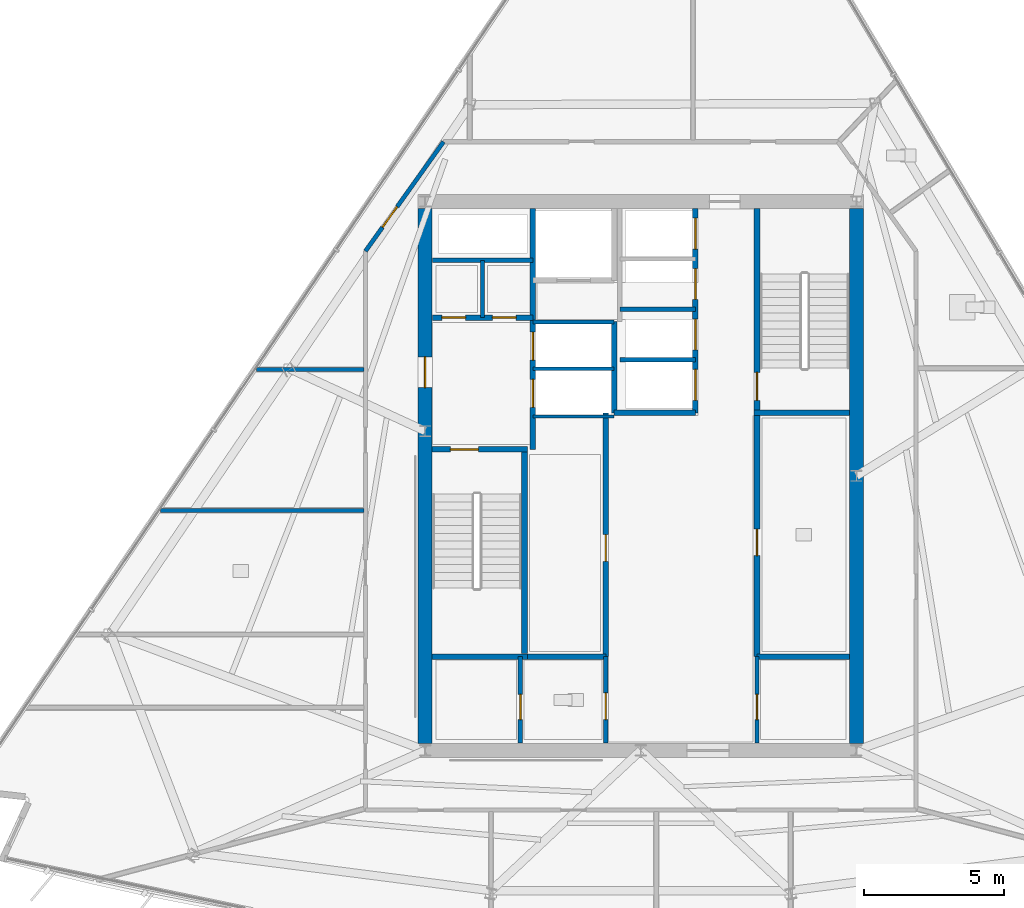
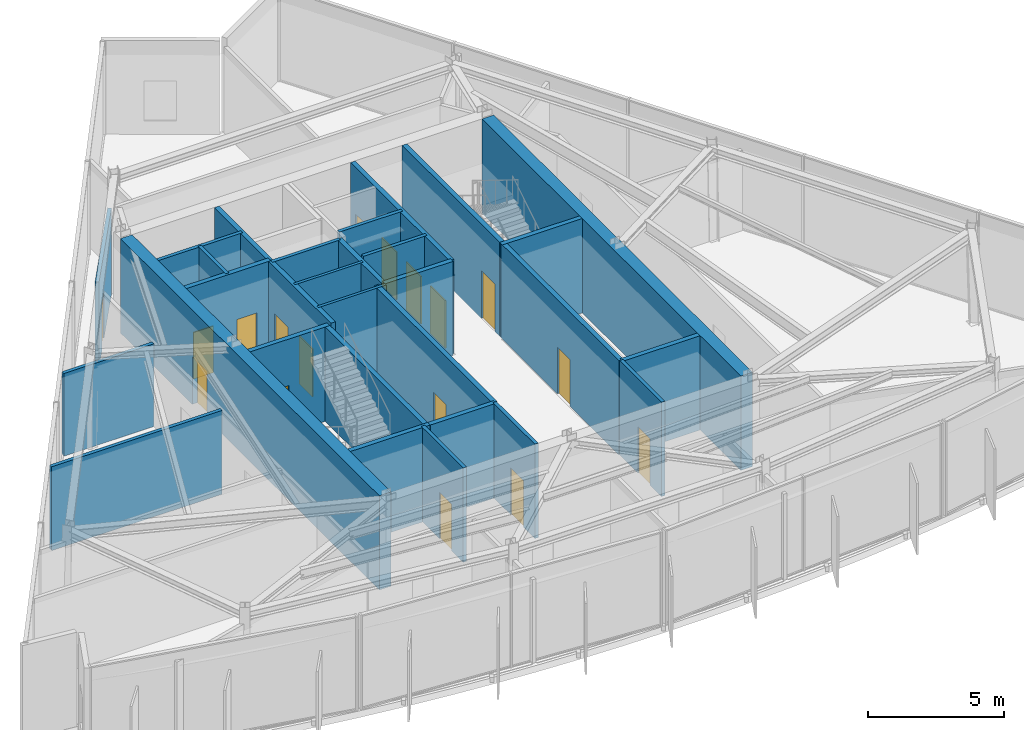
# One storey, part 7 of 12: 29 walls, 17 doors, 17 openings.
"""IFC4 building model written with IfcOpenShell, lengths in metres."""

from ifc_helpers import new_model, si_unit, direction, frame, frame_2d, origin, place, context, subcontext, project, spatial, rectangle, extrude, material, layer, layer_set, type_object, element, fill, save


model = new_model("IFC4")

# Units and contexts
model_context = context("Model", 3, precision=1e-05, world=origin(), true_north=direction((0.0, 1.0)))
body_context = subcontext(model_context, "Body", "Model", "MODEL_VIEW")
ifc_project = project(units=[si_unit("LENGTHUNIT", "METRE"), si_unit("AREAUNIT", "SQUARE_METRE"), si_unit("VOLUMEUNIT", "CUBIC_METRE"), si_unit("PLANEANGLEUNIT", "RADIAN"), si_unit("MASSUNIT", "GRAM", prefix="KILO")], contexts=[model_context])

# Site, building, storey
site_placement = place(None, origin())
site = spatial("IfcSite", under=ifc_project, at=site_placement, CompositionType="ELEMENT")
building_placement = place(site_placement, origin())
building = spatial("IfcBuilding", under=site, at=building_placement, Name="Savorim Split Tower", CompositionType="ELEMENT")
storey_placement = place(building_placement, frame((0.0, 0.0, 246.300048828125)))
storey = spatial("IfcBuildingStorey", under=building, at=storey_placement, Name="L65", CompositionType="ELEMENT", Elevation=246.300048828125)

# Wall, opening, door
ifc_material_1 = material(Name="Concrete C60/75", Category="concrete")
ifc_layer_1 = layer(ifc_material_1, 0.5)
ifc_layer_set_1 = layer_set([ifc_layer_1], Name="WAL-COR-SH500")
wall_type_1 = type_object("IfcWallType", Name="WAL-COR-SH500", PredefinedType="SHEAR", material=ifc_layer_set_1)
wall_1_placement = place(storey_placement, frame((-7.699951171875, -9.14990234375, 0.0), z_axis=(0.0, 0.0, 1.0), x_axis=(0.0, 1.0, 0.0)))
wall_1 = element("IfcWall", 1, at=wall_1_placement, inside=storey, type_object=wall_type_1, Name="L65 Offset Core West Shear Wall", PredefinedType="SHEAR", context=body_context, shape_type="SweptSolid", body=[
    extrude(rectangle(XDim=19.099853515625, YDim=0.5, at=frame_2d((9.5498046875, 0.0))), origin(), (0.0, 0.0, 1.0), 4.25),
])
opening_1_placement = place(wall_1_placement, frame((12.699951171875, 0.0, 0.0)))
opening_1 = element("IfcOpeningElement", 2, at=opening_1_placement, cuts=wall_1, Name="Opening DI-03", PredefinedType="OPENING", context=body_context, shape_type="SweptSolid", body=[
    extrude(rectangle(XDim=1.10009765625, YDim=2.14990234375, at=frame_2d((0.550048828125, 1.074951171875))), frame((0.0, 0.260009765625, 0.0), z_axis=(0.0, -1.0, 0.0), x_axis=(1.0, 0.0, 0.0)), (0.0, 0.0, 1.0), 0.52001953125),
])
ifc_material_2 = material(Name="Timber Fire Door Leaf", Category="wood")
door_type_1 = type_object("IfcDoorType", Name="DOR-FIR-1100", OperationType="NOTDEFINED", PredefinedType="DOOR", material=ifc_material_2)
door_1_placement = place(opening_1_placement, origin())
door_1 = element("IfcDoor", 3, at=door_1_placement, inside=storey, type_object=door_type_1, Name="DOR-L65-COR-FFLOB - L65 Firefighting Lobby Corridor Door", OperationType="SINGLE_SWING_LEFT", OverallHeight=2.14990234375, OverallWidth=1.10009765625, PredefinedType="DOOR", context=body_context, shape_type="SweptSolid", body=[
    extrude(rectangle(XDim=1.10009765625, YDim=2.14990234375, at=frame_2d((0.550048828125, 1.074951171875))), frame((0.0, 0.02490234375, 0.0), z_axis=(0.0, -1.0, 0.0), x_axis=(1.0, 0.0, 0.0)), (0.0, 0.0, 1.0), 0.050048828125),
])
fill(opening_1, door_1)

# Wall
wall_2_placement = place(storey_placement, frame((7.699951171875, 9.949951171875, 0.0), z_axis=(0.0, 0.0, 1.0), x_axis=(0.0, -1.0, 0.0)))
element("IfcWall", 4, at=wall_2_placement, inside=storey, type_object=wall_type_1, Name="L65 Offset Core East Shear Wall", PredefinedType="SHEAR", context=body_context, shape_type="SweptSolid", body=[
    extrude(rectangle(XDim=19.099853515625, YDim=0.5, at=frame_2d((9.5498046875, 0.0))), origin(), (0.0, 0.0, 1.0), 4.25),
])

# Wall, opening, door
ifc_material_3 = material(Name="Concrete C50/60", Category="concrete")
ifc_layer_2 = layer(ifc_material_3, 0.199951171875)
ifc_layer_set_2 = layer_set([ifc_layer_2], Name="WAL-INT-RC200")
wall_type_2 = type_object("IfcWallType", Name="WAL-INT-RC200", PredefinedType="SOLIDWALL", material=ifc_layer_set_2)
wall_3_placement = place(storey_placement, frame((-7.449951171875, 1.35009765625, 0.0), z_axis=(0.0, 0.0, 1.0), x_axis=(1.0, 0.0, 0.0)))
wall_3 = element("IfcWall", 5, at=wall_3_placement, inside=storey, type_object=wall_type_2, Name="L65 Structural Shaft Wall W-L65-CR01", PredefinedType="SOLIDWALL", context=body_context, shape_type="SweptSolid", body=[
    extrude(rectangle(XDim=3.39990234375, YDim=0.199951171875, at=frame_2d((1.699951171875, 0.0))), origin(), (0.0, 0.0, 1.0), 4.25),
])
opening_2_placement = place(wall_3_placement, frame((0.64990234375, 0.0, 0.0)))
opening_2 = element("IfcOpeningElement", 6, at=opening_2_placement, cuts=wall_3, Name="Opening DI-04", PredefinedType="OPENING", context=body_context, shape_type="SweptSolid", body=[
    extrude(rectangle(XDim=1.0, YDim=2.14990234375, at=frame_2d((0.5, 1.074951171875))), frame((0.0, 0.10986328125, 0.0), z_axis=(0.0, -1.0, 0.0), x_axis=(1.0, 0.0, 0.0)), (0.0, 0.0, 1.0), 0.219970703125),
])
door_type_2 = type_object("IfcDoorType", Name="DOR-FIR-1000", OperationType="NOTDEFINED", PredefinedType="DOOR", material=ifc_material_2)
door_2_placement = place(opening_2_placement, origin())
door_2 = element("IfcDoor", 7, at=door_2_placement, inside=storey, type_object=door_type_2, Name="DR-L65-ST1 - L65 Stair ST-1 Enclosure Door", OperationType="SINGLE_SWING_LEFT", OverallHeight=2.14990234375, OverallWidth=1.0, PredefinedType="DOOR", context=body_context, shape_type="SweptSolid", body=[
    extrude(rectangle(XDim=1.0, YDim=2.14990234375, at=frame_2d((0.5, 1.074951171875))), frame((0.0, 0.02490234375, 0.0), z_axis=(0.0, -1.0, 0.0), x_axis=(1.0, 0.0, 0.0)), (0.0, 0.0, 1.0), 0.050048828125),
])
fill(opening_2, door_2)

# Wall
wall_4_placement = place(storey_placement, frame((-4.14990234375, -5.949951171875, 0.0), z_axis=(0.0, 0.0, 1.0), x_axis=(0.0, 1.0, 0.0)))
element("IfcWall", 8, at=wall_4_placement, inside=storey, type_object=wall_type_2, Name="L65 Structural Shaft Wall W-L65-CR02", PredefinedType="SOLIDWALL", context=body_context, shape_type="SweptSolid", body=[
    extrude(rectangle(XDim=7.199951171875, YDim=0.199951171875, at=frame_2d((3.60009765625, 0.0))), origin(), (0.0, 0.0, 1.0), 4.25),
])

# Wall, openings, doors
wall_5_placement = place(storey_placement, frame((-3.85009765625, 1.35009765625, 0.0), z_axis=(0.0, 0.0, 1.0), x_axis=(0.0, 1.0, 0.0)))
wall_5 = element("IfcWall", 9, at=wall_5_placement, inside=storey, type_object=wall_type_2, Name="L65 Partition W-L65-CR03", PredefinedType="SOLIDWALL", context=body_context, shape_type="SweptSolid", body=[
    extrude(rectangle(XDim=8.594970703125, YDim=0.199951171875, at=frame_2d((4.29736328125, 0.0))), origin(), (0.0, 0.0, 1.0), 4.25),
])
opening_3_placement = place(wall_5_placement, frame((1.5, 0.0, 0.0)))
opening_3 = element("IfcOpeningElement", 10, at=opening_3_placement, cuts=wall_5, Name="Opening LD-FFL", PredefinedType="OPENING", context=body_context, shape_type="SweptSolid", body=[
    extrude(rectangle(XDim=1.0, YDim=2.14990234375, at=frame_2d((0.5, 1.074951171875))), frame((0.0, 0.10986328125, 0.0), z_axis=(0.0, -1.0, 0.0), x_axis=(1.0, 0.0, 0.0)), (0.0, 0.0, 1.0), 0.219970703125),
])
opening_4_placement = place(wall_5_placement, frame((3.179931640625, 0.0, 0.0)))
opening_4 = element("IfcOpeningElement", 11, at=opening_4_placement, cuts=wall_5, Name="Opening LD-FFL", PredefinedType="OPENING", context=body_context, shape_type="SweptSolid", body=[
    extrude(rectangle(XDim=1.0, YDim=2.14990234375, at=frame_2d((0.5, 1.074951171875))), frame((0.0, 0.10986328125, 0.0), z_axis=(0.0, -1.0, 0.0), x_axis=(1.0, 0.0, 0.0)), (0.0, 0.0, 1.0), 0.219970703125),
])
ifc_material_4 = material(Name="Charcoal Anodised Aluminium", Category="aluminium")
door_type_3 = type_object("IfcDoorType", Name="DOR-SLD-LD1000", OperationType="NOTDEFINED", PredefinedType="DOOR", material=ifc_material_4)
door_3_placement = place(opening_3_placement, origin())
door_3 = element("IfcDoor", 12, at=door_3_placement, inside=storey, type_object=door_type_3, Name="DR-L65-LD-FFL1 - L65 Firefighting Lift FFL-1 Sliding Landing Door", OperationType="DOUBLE_DOOR_SLIDING", OverallHeight=2.14990234375, OverallWidth=1.0, PredefinedType="DOOR", context=body_context, shape_type="SweptSolid", body=[
    extrude(rectangle(XDim=1.0, YDim=2.14990234375, at=frame_2d((0.5, 1.074951171875))), frame((0.0, 0.02490234375, 0.0), z_axis=(0.0, -1.0, 0.0), x_axis=(1.0, 0.0, 0.0)), (0.0, 0.0, 1.0), 0.050048828125),
])
fill(opening_3, door_3)
door_4_placement = place(opening_4_placement, origin())
door_4 = element("IfcDoor", 13, at=door_4_placement, inside=storey, type_object=door_type_3, Name="DR-L65-LD-FFL2 - L65 Firefighting Lift FFL-2 Sliding Landing Door", OperationType="DOUBLE_DOOR_SLIDING", OverallHeight=2.14990234375, OverallWidth=1.0, PredefinedType="DOOR", context=body_context, shape_type="SweptSolid", body=[
    extrude(rectangle(XDim=1.0, YDim=2.14990234375, at=frame_2d((0.5, 1.074951171875))), frame((0.0, 0.02490234375, 0.0), z_axis=(0.0, -1.0, 0.0), x_axis=(1.0, 0.0, 0.0)), (0.0, 0.0, 1.0), 0.050048828125),
])
fill(opening_4, door_4)

wall_6_placement = place(storey_placement, frame((-7.445068359375, 6.050048828125, 0.0), z_axis=(0.0, 0.0, 1.0), x_axis=(1.0, 0.0, 0.0)))
wall_6 = element("IfcWall", 14, at=wall_6_placement, inside=storey, type_object=wall_type_2, Name="L65 Partition W-L65-CR04", PredefinedType="SOLIDWALL", context=body_context, shape_type="SweptSolid", body=[
    extrude(rectangle(XDim=3.594970703125, YDim=0.199951171875, at=frame_2d((1.79736328125, 0.0))), origin(), (0.0, 0.0, 1.0), 4.25),
])
opening_5_placement = place(wall_6_placement, frame((0.344970703125, 0.0, 0.0)))
opening_5 = element("IfcOpeningElement", 15, at=opening_5_placement, cuts=wall_6, Name="Opening DI-12", PredefinedType="OPENING", context=body_context, shape_type="SweptSolid", body=[
    extrude(rectangle(XDim=0.85009765625, YDim=2.10009765625, at=frame_2d((0.425048828125, 1.050048828125))), frame((0.0, 0.10986328125, 0.0), z_axis=(0.0, -1.0, 0.0), x_axis=(1.0, 0.0, 0.0)), (0.0, 0.0, 1.0), 0.219970703125),
])
opening_6_placement = place(wall_6_placement, frame((2.14501953125, 0.0, 0.0)))
opening_6 = element("IfcOpeningElement", 16, at=opening_6_placement, cuts=wall_6, Name="Opening DI-12", PredefinedType="OPENING", context=body_context, shape_type="SweptSolid", body=[
    extrude(rectangle(XDim=0.85009765625, YDim=2.10009765625, at=frame_2d((0.425048828125, 1.050048828125))), frame((0.0, 0.10986328125, 0.0), z_axis=(0.0, -1.0, 0.0), x_axis=(1.0, 0.0, 0.0)), (0.0, 0.0, 1.0), 0.219970703125),
])
ifc_material_5 = material(Name="Galvanised Painted Steel Balustrade", Category="steel")
door_type_4 = type_object("IfcDoorType", Name="DOR-RIS-850", OperationType="NOTDEFINED", PredefinedType="DOOR", material=ifc_material_5)
door_5_placement = place(opening_5_placement, origin())
door_5 = element("IfcDoor", 17, at=door_5_placement, inside=storey, type_object=door_type_4, Name="DR-L65-ELR - L65 Electrical Riser Access Door", OperationType="SINGLE_SWING_RIGHT", OverallHeight=2.10009765625, OverallWidth=0.85009765625, PredefinedType="DOOR", context=body_context, shape_type="SweptSolid", body=[
    extrude(rectangle(XDim=0.85009765625, YDim=2.10009765625, at=frame_2d((0.425048828125, 1.050048828125))), frame((0.0, 0.02490234375, 0.0), z_axis=(0.0, -1.0, 0.0), x_axis=(1.0, 0.0, 0.0)), (0.0, 0.0, 1.0), 0.050048828125),
])
fill(opening_5, door_5)
door_6_placement = place(opening_6_placement, origin())
door_6 = element("IfcDoor", 18, at=door_6_placement, inside=storey, type_object=door_type_4, Name="DR-L65-TLR - L65 Telecom Riser Access Door", OperationType="SINGLE_SWING_LEFT", OverallHeight=2.10009765625, OverallWidth=0.85009765625, PredefinedType="DOOR", context=body_context, shape_type="SweptSolid", body=[
    extrude(rectangle(XDim=0.85009765625, YDim=2.10009765625, at=frame_2d((0.425048828125, 1.050048828125))), frame((0.0, 0.02490234375, 0.0), z_axis=(0.0, -1.0, 0.0), x_axis=(1.0, 0.0, 0.0)), (0.0, 0.0, 1.0), 0.050048828125),
])
fill(opening_6, door_6)

# Wall, opening, door
wall_7_placement = place(storey_placement, frame((4.14990234375, 2.75, 0.0), z_axis=(0.0, 0.0, 1.0), x_axis=(0.0, 1.0, 0.0)))
wall_7 = element("IfcWall", 19, at=wall_7_placement, inside=storey, type_object=wall_type_2, Name="L65 Structural Shaft Wall W-L65-CR07", PredefinedType="SOLIDWALL", context=body_context, shape_type="SweptSolid", body=[
    extrude(rectangle(XDim=7.199951171875, YDim=0.199951171875, at=frame_2d((3.60009765625, 0.0))), origin(), (0.0, 0.0, 1.0), 4.25),
])
opening_7_placement = place(wall_7_placement, frame((0.35009765625, 0.0, 0.0)))
opening_7 = element("IfcOpeningElement", 20, at=opening_7_placement, cuts=wall_7, Name="Opening DI-04", PredefinedType="OPENING", context=body_context, shape_type="SweptSolid", body=[
    extrude(rectangle(XDim=1.0, YDim=2.14990234375, at=frame_2d((0.5, 1.074951171875))), frame((0.0, 0.10986328125, 0.0), z_axis=(0.0, -1.0, 0.0), x_axis=(1.0, 0.0, 0.0)), (0.0, 0.0, 1.0), 0.219970703125),
])
door_7_placement = place(opening_7_placement, origin())
door_7 = element("IfcDoor", 21, at=door_7_placement, inside=storey, type_object=door_type_2, Name="DR-L65-ST2 - L65 Stair ST-2 Enclosure Door", OperationType="SINGLE_SWING_RIGHT", OverallHeight=2.14990234375, OverallWidth=1.0, PredefinedType="DOOR", context=body_context, shape_type="SweptSolid", body=[
    extrude(rectangle(XDim=1.0, YDim=2.14990234375, at=frame_2d((0.5, 1.074951171875))), frame((0.0, 0.02490234375, 0.0), z_axis=(0.0, -1.0, 0.0), x_axis=(1.0, 0.0, 0.0)), (0.0, 0.0, 1.0), 0.050048828125),
])
fill(opening_7, door_7)

# Walls
wall_8_placement = place(storey_placement, frame((4.050048828125, 2.64990234375, 0.0), z_axis=(0.0, 0.0, 1.0), x_axis=(1.0, 0.0, 0.0)))
element("IfcWall", 22, at=wall_8_placement, inside=storey, type_object=wall_type_2, Name="L65 Structural Shaft Wall W-L65-CR08", PredefinedType="SOLIDWALL", context=body_context, shape_type="SweptSolid", body=[
    extrude(rectangle(XDim=3.39990234375, YDim=0.199951171875, at=frame_2d((1.699951171875, 0.0))), origin(), (0.0, 0.0, 1.0), 4.25),
])
wall_9_placement = place(storey_placement, frame((-0.949951171875, 2.64990234375, 0.0), z_axis=(0.0, 0.0, 1.0), x_axis=(0.0, 1.0, 0.0)))
element("IfcWall", 23, at=wall_9_placement, inside=storey, type_object=wall_type_2, Name="L65 Partition W-L65-FFLW", PredefinedType="SOLIDWALL", context=body_context, shape_type="SweptSolid", body=[
    extrude(rectangle(XDim=3.27001953125, YDim=0.199951171875, at=frame_2d((1.635009765625, 0.0))), origin(), (0.0, 0.0, 1.0), 4.25),
])

# Wall, opening, door
wall_10_placement = place(storey_placement, frame((4.14990234375, -6.050048828125, 0.0), z_axis=(0.0, 0.0, 1.0), x_axis=(0.0, 1.0, 0.0)))
wall_10 = element("IfcWall", 24, at=wall_10_placement, inside=storey, type_object=wall_type_2, Name="L65 Partition W-L65-B1FRONT", PredefinedType="SOLIDWALL", context=body_context, shape_type="SweptSolid", body=[
    extrude(rectangle(XDim=8.699951171875, YDim=0.199951171875, at=frame_2d((4.35009765625, 0.0))), origin(), (0.0, 0.0, 1.0), 4.25),
])
opening_8_placement = place(wall_10_placement, frame((3.60009765625, 0.0, 0.0)))
opening_8 = element("IfcOpeningElement", 25, at=opening_8_placement, cuts=wall_10, Name="Opening DI-05", PredefinedType="OPENING", context=body_context, shape_type="SweptSolid", body=[
    extrude(rectangle(XDim=0.949951171875, YDim=2.10009765625, at=frame_2d((0.47509765625, 1.050048828125))), frame((0.0, 0.10986328125, 0.0), z_axis=(0.0, -1.0, 0.0), x_axis=(1.0, 0.0, 0.0)), (0.0, 0.0, 1.0), 0.219970703125),
])
door_type_5 = type_object("IfcDoorType", Name="DOR-FIR-950", OperationType="NOTDEFINED", PredefinedType="DOOR", material=ifc_material_2)
door_8_placement = place(opening_8_placement, origin())
door_8 = element("IfcDoor", 26, at=door_8_placement, inside=storey, type_object=door_type_5, Name="DR-L65-LV7B1 - L65 Community Laundry Room Door", OperationType="SINGLE_SWING_RIGHT", OverallHeight=2.10009765625, OverallWidth=0.949951171875, PredefinedType="DOOR", context=body_context, shape_type="SweptSolid", body=[
    extrude(rectangle(XDim=0.949951171875, YDim=2.10009765625, at=frame_2d((0.47509765625, 1.050048828125))), frame((0.0, 0.02490234375, 0.0), z_axis=(0.0, -1.0, 0.0), x_axis=(1.0, 0.0, 0.0)), (0.0, 0.0, 1.0), 0.050048828125),
])
fill(opening_8, door_8)

wall_11_placement = place(storey_placement, frame((-1.25, -6.050048828125, 0.0), z_axis=(0.0, 0.0, 1.0), x_axis=(0.0, 1.0, 0.0)))
wall_11 = element("IfcWall", 27, at=wall_11_placement, inside=storey, type_object=wall_type_2, Name="L65 Partition W-L65-B2FRONT", PredefinedType="SOLIDWALL", context=body_context, shape_type="SweptSolid", body=[
    extrude(rectangle(XDim=8.699951171875, YDim=0.199951171875, at=frame_2d((4.35009765625, 0.0))), origin(), (0.0, 0.0, 1.0), 4.25),
])
opening_9_placement = place(wall_11_placement, frame((3.39990234375, 0.0, 0.0)))
opening_9 = element("IfcOpeningElement", 28, at=opening_9_placement, cuts=wall_11, Name="Opening DI-05", PredefinedType="OPENING", context=body_context, shape_type="SweptSolid", body=[
    extrude(rectangle(XDim=0.949951171875, YDim=2.10009765625, at=frame_2d((0.47509765625, 1.050048828125))), frame((0.0, 0.10986328125, 0.0), z_axis=(0.0, -1.0, 0.0), x_axis=(1.0, 0.0, 0.0)), (0.0, 0.0, 1.0), 0.219970703125),
])
door_9_placement = place(opening_9_placement, origin())
door_9 = element("IfcDoor", 29, at=door_9_placement, inside=storey, type_object=door_type_5, Name="DR-L65-LV7B2 - L65 Quiet Study Room Door", OperationType="SINGLE_SWING_LEFT", OverallHeight=2.10009765625, OverallWidth=0.949951171875, PredefinedType="DOOR", context=body_context, shape_type="SweptSolid", body=[
    extrude(rectangle(XDim=0.949951171875, YDim=2.10009765625, at=frame_2d((0.47509765625, 1.050048828125))), frame((0.0, 0.02490234375, 0.0), z_axis=(0.0, -1.0, 0.0), x_axis=(1.0, 0.0, 0.0)), (0.0, 0.0, 1.0), 0.050048828125),
])
fill(opening_9, door_9)

# Wall, openings, doors
wall_12_placement = place(storey_placement, frame((1.949951171875, 2.64990234375, 0.0), z_axis=(0.0, 0.0, 1.0), x_axis=(0.0, 1.0, 0.0)))
wall_12 = element("IfcWall", 30, at=wall_12_placement, inside=storey, type_object=wall_type_2, Name="L65 Partition W-L65-B3FRONT", PredefinedType="SOLIDWALL", context=body_context, shape_type="SweptSolid", body=[
    extrude(rectangle(XDim=7.295166015625, YDim=0.199951171875, at=frame_2d((3.6474609375, 0.0))), origin(), (0.0, 0.0, 1.0), 4.25),
])
opening_10_placement = place(wall_12_placement, frame((0.449951171875, 0.0, 0.0)))
opening_10 = element("IfcOpeningElement", 31, at=opening_10_placement, cuts=wall_12, Name="Opening LD-03", PredefinedType="OPENING", context=body_context, shape_type="SweptSolid", body=[
    extrude(rectangle(XDim=1.10009765625, YDim=2.14990234375, at=frame_2d((0.550048828125, 1.074951171875))), frame((0.0, 0.10986328125, 0.0), z_axis=(0.0, -1.0, 0.0), x_axis=(1.0, 0.0, 0.0)), (0.0, 0.0, 1.0), 0.219970703125),
])
opening_11_placement = place(wall_12_placement, frame((2.25, 0.0, 0.0)))
opening_11 = element("IfcOpeningElement", 32, at=opening_11_placement, cuts=wall_12, Name="Opening LD-03", PredefinedType="OPENING", context=body_context, shape_type="SweptSolid", body=[
    extrude(rectangle(XDim=1.10009765625, YDim=2.14990234375, at=frame_2d((0.550048828125, 1.074951171875))), frame((0.0, 0.10986328125, 0.0), z_axis=(0.0, -1.0, 0.0), x_axis=(1.0, 0.0, 0.0)), (0.0, 0.0, 1.0), 0.219970703125),
])
opening_12_placement = place(wall_12_placement, frame((4.050048828125, 0.0, 0.0)))
opening_12 = element("IfcOpeningElement", 33, at=opening_12_placement, cuts=wall_12, Name="Opening LD-03", PredefinedType="OPENING", context=body_context, shape_type="SweptSolid", body=[
    extrude(rectangle(XDim=1.10009765625, YDim=2.14990234375, at=frame_2d((0.550048828125, 1.074951171875))), frame((0.0, 0.10986328125, 0.0), z_axis=(0.0, -1.0, 0.0), x_axis=(1.0, 0.0, 0.0)), (0.0, 0.0, 1.0), 0.219970703125),
])
opening_13_placement = place(wall_12_placement, frame((5.85009765625, 0.0, 0.0)))
opening_13 = element("IfcOpeningElement", 34, at=opening_13_placement, cuts=wall_12, Name="Opening LD-03", PredefinedType="OPENING", context=body_context, shape_type="SweptSolid", body=[
    extrude(rectangle(XDim=1.10009765625, YDim=2.14990234375, at=frame_2d((0.550048828125, 1.074951171875))), frame((0.0, 0.10986328125, 0.0), z_axis=(0.0, -1.0, 0.0), x_axis=(1.0, 0.0, 0.0)), (0.0, 0.0, 1.0), 0.219970703125),
])
door_type_6 = type_object("IfcDoorType", Name="DOR-SLD-LDH1100", OperationType="NOTDEFINED", PredefinedType="DOOR", material=ifc_material_4)
door_10_placement = place(opening_10_placement, origin())
door_10 = element("IfcDoor", 35, at=door_10_placement, inside=storey, type_object=door_type_6, Name="DR-L65-LD-PLH1 - L65 Lift PL-H1 Sliding Landing Door", OperationType="DOUBLE_DOOR_SLIDING", OverallHeight=2.14990234375, OverallWidth=1.10009765625, PredefinedType="DOOR", context=body_context, shape_type="SweptSolid", body=[
    extrude(rectangle(XDim=1.10009765625, YDim=2.14990234375, at=frame_2d((0.550048828125, 1.074951171875))), frame((0.0, 0.02490234375, 0.0), z_axis=(0.0, -1.0, 0.0), x_axis=(1.0, 0.0, 0.0)), (0.0, 0.0, 1.0), 0.050048828125),
])
fill(opening_10, door_10)
door_11_placement = place(opening_11_placement, origin())
door_11 = element("IfcDoor", 36, at=door_11_placement, inside=storey, type_object=door_type_6, Name="DR-L65-LD-PLH2 - L65 Lift PL-H2 Sliding Landing Door", OperationType="DOUBLE_DOOR_SLIDING", OverallHeight=2.14990234375, OverallWidth=1.10009765625, PredefinedType="DOOR", context=body_context, shape_type="SweptSolid", body=[
    extrude(rectangle(XDim=1.10009765625, YDim=2.14990234375, at=frame_2d((0.550048828125, 1.074951171875))), frame((0.0, 0.02490234375, 0.0), z_axis=(0.0, -1.0, 0.0), x_axis=(1.0, 0.0, 0.0)), (0.0, 0.0, 1.0), 0.050048828125),
])
fill(opening_11, door_11)
door_12_placement = place(opening_12_placement, origin())
door_12 = element("IfcDoor", 37, at=door_12_placement, inside=storey, type_object=door_type_6, Name="DR-L65-LD-PLH3 - L65 Lift PL-H3 Sliding Landing Door", OperationType="DOUBLE_DOOR_SLIDING", OverallHeight=2.14990234375, OverallWidth=1.10009765625, PredefinedType="DOOR", context=body_context, shape_type="SweptSolid", body=[
    extrude(rectangle(XDim=1.10009765625, YDim=2.14990234375, at=frame_2d((0.550048828125, 1.074951171875))), frame((0.0, 0.02490234375, 0.0), z_axis=(0.0, -1.0, 0.0), x_axis=(1.0, 0.0, 0.0)), (0.0, 0.0, 1.0), 0.050048828125),
])
fill(opening_12, door_12)
door_13_placement = place(opening_13_placement, origin())
door_13 = element("IfcDoor", 38, at=door_13_placement, inside=storey, type_object=door_type_6, Name="DR-L65-LD-PLH4 - L65 Lift PL-H4 Sliding Landing Door", OperationType="DOUBLE_DOOR_SLIDING", OverallHeight=2.14990234375, OverallWidth=1.10009765625, PredefinedType="DOOR", context=body_context, shape_type="SweptSolid", body=[
    extrude(rectangle(XDim=1.10009765625, YDim=2.14990234375, at=frame_2d((0.550048828125, 1.074951171875))), frame((0.0, 0.02490234375, 0.0), z_axis=(0.0, -1.0, 0.0), x_axis=(1.0, 0.0, 0.0)), (0.0, 0.0, 1.0), 0.050048828125),
])
fill(opening_13, door_13)

# Walls
wall_13_placement = place(storey_placement, frame((-0.949951171875, 2.64990234375, 0.0), z_axis=(0.0, 0.0, 1.0), x_axis=(1.0, 0.0, 0.0)))
element("IfcWall", 39, at=wall_13_placement, inside=storey, type_object=wall_type_2, Name="L65 Partition W-L65-B3SOUTH", PredefinedType="SOLIDWALL", context=body_context, shape_type="SweptSolid", body=[
    extrude(rectangle(XDim=2.89990234375, YDim=0.199951171875, at=frame_2d((1.449951171875, 0.0))), origin(), (0.0, 0.0, 1.0), 4.25),
])
wall_14_placement = place(storey_placement, frame((-7.449951171875, -6.050048828125, 0.0), z_axis=(0.0, 0.0, 1.0), x_axis=(1.0, 0.0, 0.0)))
element("IfcWall", 40, at=wall_14_placement, inside=storey, type_object=wall_type_2, Name="L65 Structural Shaft Wall W-L65-KSEP-W", PredefinedType="SOLIDWALL", context=body_context, shape_type="SweptSolid", body=[
    extrude(rectangle(XDim=3.39990234375, YDim=0.199951171875, at=frame_2d((1.699951171875, 0.0))), origin(), (0.0, 0.0, 1.0), 4.25),
])
wall_15_placement = place(storey_placement, frame((-4.0400390625, -6.050048828125, 0.0), z_axis=(0.0, 0.0, 1.0), x_axis=(1.0, 0.0, 0.0)))
element("IfcWall", 41, at=wall_15_placement, inside=storey, type_object=wall_type_2, Name="L65 Partition W-L65-KSEP-W2", PredefinedType="SOLIDWALL", context=body_context, shape_type="SweptSolid", body=[
    extrude(rectangle(XDim=2.7900390625, YDim=0.199951171875, at=frame_2d((1.39501953125, 0.0))), origin(), (0.0, 0.0, 1.0), 4.25),
])
wall_16_placement = place(storey_placement, frame((4.14990234375, -6.050048828125, 0.0), z_axis=(0.0, 0.0, 1.0), x_axis=(1.0, 0.0, 0.0)))
element("IfcWall", 42, at=wall_16_placement, inside=storey, type_object=wall_type_2, Name="L65 Partition W-L65-KSEP-E", PredefinedType="SOLIDWALL", context=body_context, shape_type="SweptSolid", body=[
    extrude(rectangle(XDim=3.295166015625, YDim=0.199951171875, at=frame_2d((1.6474609375, 0.0))), origin(), (0.0, 0.0, 1.0), 4.25),
])
ifc_material_6 = material(Name="Acoustic Gypsum Partition Board")
ifc_layer_3 = layer(ifc_material_6, 0.1201171875)
ifc_layer_set_3 = layer_set([ifc_layer_3], Name="WAL-PAR-120")
wall_type_3 = type_object("IfcWallType", Name="WAL-PAR-120", PredefinedType="PARTITIONING", material=ifc_layer_set_3)
for number, where, z_axis, x_axis, name in (
    (43, (-3.85009765625, 2.52001953125, 0.0), (0.0, 0.0, 1.0), (1.0, 0.0, 0.0), "L65 Partition W-L65-FFLD0"),
    (44, (-3.85009765625, 4.219970703125, 0.0), (0.0, 0.0, 1.0), (1.0, 0.0, 0.0), "L65 Partition W-L65-FFLD1"),
):
    element("IfcWall", number, at=place(storey_placement, frame(where, z_axis=z_axis, x_axis=x_axis)), inside=storey, type_object=wall_type_3, Name=name, PredefinedType="PARTITIONING", context=body_context, shape_type="SweptSolid", body=[
        extrude(rectangle(XDim=2.900146484375, YDim=0.1201171875, at=frame_2d((1.4501953125, 0.0))), origin(), (0.0, 0.0, 1.0), 4.25),
    ])
ifc_layer_4 = layer(ifc_material_6, 0.14990234375)
ifc_layer_set_4 = layer_set([ifc_layer_4], Name="WAL-PAR-150")
wall_type_4 = type_object("IfcWallType", Name="WAL-PAR-150", PredefinedType="PARTITIONING", material=ifc_layer_set_4)
wall_17_placement = place(storey_placement, frame((-7.445068359375, 8.10009765625, 0.0), z_axis=(0.0, 0.0, 1.0), x_axis=(1.0, 0.0, 0.0)))
element("IfcWall", 45, at=wall_17_placement, inside=storey, type_object=wall_type_4, Name="L65 Partition W-L65-CR05", PredefinedType="PARTITIONING", context=body_context, shape_type="SweptSolid", body=[
    extrude(rectangle(XDim=3.594970703125, YDim=0.14990234375, at=frame_2d((1.79736328125, 0.0))), origin(), (0.0, 0.0, 1.0), 4.25),
])
wall_18_placement = place(storey_placement, frame((-5.64990234375, 6.050048828125, 0.0), z_axis=(0.0, 0.0, 1.0), x_axis=(0.0, 1.0, 0.0)))
element("IfcWall", 46, at=wall_18_placement, inside=storey, type_object=wall_type_4, Name="L65 Partition W-L65-CR06", PredefinedType="PARTITIONING", context=body_context, shape_type="SweptSolid", body=[
    extrude(rectangle(XDim=2.050048828125, YDim=0.14990234375, at=frame_2d((1.02490234375, 0.0))), origin(), (0.0, 0.0, 1.0), 4.25),
])
wall_19_placement = place(storey_placement, frame((-3.85009765625, 5.89990234375, 0.0), z_axis=(0.0, 0.0, 1.0), x_axis=(1.0, 0.0, 0.0)))
element("IfcWall", 47, at=wall_19_placement, inside=storey, type_object=wall_type_4, Name="L65 Partition W-L65-FFLD2", PredefinedType="PARTITIONING", context=body_context, shape_type="SweptSolid", body=[
    extrude(rectangle(XDim=2.900146484375, YDim=0.14990234375, at=frame_2d((1.4501953125, 0.0))), origin(), (0.0, 0.0, 1.0), 4.25),
])
for number, where, z_axis, x_axis, name in (
    (48, (-0.75, 4.550048828125, 0.0), (0.0, 0.0, 1.0), (1.0, 0.0, 0.0), "L65 Partition W-L65-B3DIV1"),
    (49, (-0.75, 6.35009765625, 0.0), (0.0, 0.0, 1.0), (1.0, 0.0, 0.0), "L65 Partition W-L65-B3DIV2"),
):
    element("IfcWall", number, at=place(storey_placement, frame(where, z_axis=z_axis, x_axis=x_axis)), inside=storey, type_object=wall_type_4, Name=name, PredefinedType="PARTITIONING", context=body_context, shape_type="SweptSolid", body=[
        extrude(rectangle(XDim=2.699951171875, YDim=0.14990234375, at=frame_2d((1.35009765625, 0.0))), origin(), (0.0, 0.0, 1.0), 4.25),
    ])

# Wall, opening, door
wall_20_placement = place(storey_placement, frame((-1.25, -9.14501953125, 0.0), z_axis=(0.0, 0.0, 1.0), x_axis=(0.0, 1.0, 0.0)))
wall_20 = element("IfcWall", 50, at=wall_20_placement, inside=storey, type_object=wall_type_4, Name="L65 Partition W-L65-KLOB-W", PredefinedType="PARTITIONING", context=body_context, shape_type="SweptSolid", body=[
    extrude(rectangle(XDim=3.094970703125, YDim=0.14990234375, at=frame_2d((1.54736328125, 0.0))), origin(), (0.0, 0.0, 1.0), 4.25),
])
opening_14_placement = place(wall_20_placement, frame((0.844970703125, 0.0, 0.0)))
opening_14 = element("IfcOpeningElement", 51, at=opening_14_placement, cuts=wall_20, Name="Opening DI-10", PredefinedType="OPENING", context=body_context, shape_type="SweptSolid", body=[
    extrude(rectangle(XDim=0.949951171875, YDim=2.10009765625, at=frame_2d((0.47509765625, 1.050048828125))), frame((0.0, 0.0849609375, 0.0), z_axis=(0.0, -1.0, 0.0), x_axis=(1.0, 0.0, 0.0)), (0.0, 0.0, 1.0), 0.169921875),
])
ifc_material_7 = material(Name="Oak Veneer Acoustic Door")
door_type_7 = type_object("IfcDoorType", Name="DOR-WC-950", OperationType="NOTDEFINED", PredefinedType="DOOR", material=ifc_material_7)
door_14_placement = place(opening_14_placement, origin())
door_14 = element("IfcDoor", 52, at=door_14_placement, inside=storey, type_object=door_type_7, Name="DR-L65-K1WC - L65 Core Accessible WC Door", OperationType="SINGLE_SWING_LEFT", OverallHeight=2.10009765625, OverallWidth=0.949951171875, PredefinedType="DOOR", context=body_context, shape_type="SweptSolid", body=[
    extrude(rectangle(XDim=0.949951171875, YDim=2.10009765625, at=frame_2d((0.47509765625, 1.050048828125))), frame((0.0, 0.02490234375, 0.0), z_axis=(0.0, -1.0, 0.0), x_axis=(1.0, 0.0, 0.0)), (0.0, 0.0, 1.0), 0.050048828125),
])
fill(opening_14, door_14)

wall_21_placement = place(storey_placement, frame((4.14990234375, -9.14501953125, 0.0), z_axis=(0.0, 0.0, 1.0), x_axis=(0.0, 1.0, 0.0)))
wall_21 = element("IfcWall", 53, at=wall_21_placement, inside=storey, type_object=wall_type_4, Name="L65 Partition W-L65-KLOB-E", PredefinedType="PARTITIONING", context=body_context, shape_type="SweptSolid", body=[
    extrude(rectangle(XDim=3.094970703125, YDim=0.14990234375, at=frame_2d((1.54736328125, 0.0))), origin(), (0.0, 0.0, 1.0), 4.25),
])
opening_15_placement = place(wall_21_placement, frame((0.844970703125, 0.0, 0.0)))
opening_15 = element("IfcOpeningElement", 54, at=opening_15_placement, cuts=wall_21, Name="Opening DI-06", PredefinedType="OPENING", context=body_context, shape_type="SweptSolid", body=[
    extrude(rectangle(XDim=0.89990234375, YDim=2.10009765625, at=frame_2d((0.449951171875, 1.050048828125))), frame((0.0, 0.0849609375, 0.0), z_axis=(0.0, -1.0, 0.0), x_axis=(1.0, 0.0, 0.0)), (0.0, 0.0, 1.0), 0.169921875),
])
door_type_8 = type_object("IfcDoorType", Name="DOR-FIR-900", OperationType="NOTDEFINED", PredefinedType="DOOR", material=ifc_material_2)
door_15_placement = place(opening_15_placement, origin())
door_15 = element("IfcDoor", 55, at=door_15_placement, inside=storey, type_object=door_type_8, Name="DR-L65-K1IT - L65 Core IT Room Door", OperationType="SINGLE_SWING_LEFT", OverallHeight=2.10009765625, OverallWidth=0.89990234375, PredefinedType="DOOR", context=body_context, shape_type="SweptSolid", body=[
    extrude(rectangle(XDim=0.89990234375, YDim=2.10009765625, at=frame_2d((0.449951171875, 1.050048828125))), frame((0.0, 0.02490234375, 0.0), z_axis=(0.0, -1.0, 0.0), x_axis=(1.0, 0.0, 0.0)), (0.0, 0.0, 1.0), 0.050048828125),
])
fill(opening_15, door_15)

wall_22_placement = place(storey_placement, frame((-4.300048828125, -9.14501953125, 0.0), z_axis=(0.0, 0.0, 1.0), x_axis=(0.0, 1.0, 0.0)))
wall_22 = element("IfcWall", 56, at=wall_22_placement, inside=storey, type_object=wall_type_4, Name="L65 Partition W-L65-K1W", PredefinedType="PARTITIONING", context=body_context, shape_type="SweptSolid", body=[
    extrude(rectangle(XDim=3.094970703125, YDim=0.14990234375, at=frame_2d((1.54736328125, 0.0))), origin(), (0.0, 0.0, 1.0), 4.25),
])
opening_16_placement = place(wall_22_placement, frame((0.844970703125, 0.0, 0.0)))
opening_16 = element("IfcOpeningElement", 57, at=opening_16_placement, cuts=wall_22, Name="Opening DI-06", PredefinedType="OPENING", context=body_context, shape_type="SweptSolid", body=[
    extrude(rectangle(XDim=0.89990234375, YDim=2.10009765625, at=frame_2d((0.449951171875, 1.050048828125))), frame((0.0, 0.0849609375, 0.0), z_axis=(0.0, -1.0, 0.0), x_axis=(1.0, 0.0, 0.0)), (0.0, 0.0, 1.0), 0.169921875),
])
door_16_placement = place(opening_16_placement, origin())
door_16 = element("IfcDoor", 58, at=door_16_placement, inside=storey, type_object=door_type_8, Name="DR-L65-K1HK - L65 Housekeeping Store Door", OperationType="SINGLE_SWING_RIGHT", OverallHeight=2.10009765625, OverallWidth=0.89990234375, PredefinedType="DOOR", context=body_context, shape_type="SweptSolid", body=[
    extrude(rectangle(XDim=0.89990234375, YDim=2.10009765625, at=frame_2d((0.449951171875, 1.050048828125))), frame((0.0, 0.02490234375, 0.0), z_axis=(0.0, -1.0, 0.0), x_axis=(1.0, 0.0, 0.0)), (0.0, 0.0, 1.0), 0.050048828125),
])
fill(opening_16, door_16)

wall_23_placement = place(storey_placement, frame((-9.830078125, 8.425537109375, 0.0), z_axis=(0.0, 0.0, 1.0), x_axis=(0.581218941111, 0.813747222725, 0.0)))
wall_23 = element("IfcWall", 59, at=wall_23_placement, inside=storey, type_object=wall_type_4, Name="L65 Partition W-L65-COR-02", PredefinedType="PARTITIONING", context=body_context, shape_type="SweptSolid", body=[
    extrude(rectangle(XDim=4.79833984375, YDim=0.14990234375, at=frame_2d((2.399169921875, 0.0))), origin(), (0.0, 0.0, 1.0), 3.875),
])
opening_17_placement = place(wall_23_placement, frame((1.049072265625, 0.0, 0.0)))
opening_17 = element("IfcOpeningElement", 60, at=opening_17_placement, cuts=wall_23, Name="Opening DI-06", PredefinedType="OPENING", context=body_context, shape_type="SweptSolid", body=[
    extrude(rectangle(XDim=0.89990234375, YDim=2.10009765625, at=frame_2d((0.449951171875, 1.050048828125))), frame((0.0, 0.0849609375, 0.0), z_axis=(0.0, -1.0, 0.0), x_axis=(1.0, 0.0, 0.0)), (0.0, 0.0, 1.0), 0.169921875),
])
door_17_placement = place(opening_17_placement, origin())
door_17 = element("IfcDoor", 61, at=door_17_placement, inside=storey, type_object=door_type_8, Name="DR-L65-RM13 - L65 Co-Working Commons Entry Door", OperationType="SINGLE_SWING_RIGHT", OverallHeight=2.10009765625, OverallWidth=0.89990234375, PredefinedType="DOOR", context=body_context, shape_type="SweptSolid", body=[
    extrude(rectangle(XDim=0.89990234375, YDim=2.10009765625, at=frame_2d((0.449951171875, 1.050048828125))), frame((0.0, 0.02490234375, 0.0), z_axis=(0.0, -1.0, 0.0), x_axis=(1.0, 0.0, 0.0)), (0.0, 0.0, 1.0), 0.050048828125),
])
fill(opening_17, door_17)

# Walls
wall_24_placement = place(storey_placement, frame((-9.889892578125, 4.19775390625, 0.0), z_axis=(0.0, 0.0, 1.0), x_axis=(-1.0, 0.0, 0.0)))
element("IfcWall", 62, at=wall_24_placement, inside=storey, type_object=wall_type_4, Name="L65 Partition W-L65-SLR09", PredefinedType="PARTITIONING", context=body_context, shape_type="SweptSolid", body=[
    extrude(rectangle(XDim=3.834716796875, YDim=0.14990234375, at=frame_2d((1.91748046875, 0.0))), origin(), (0.0, 0.0, 1.0), 3.724853515625),
])
wall_25_placement = place(storey_placement, frame((-9.889892578125, -0.83154296875, 0.0), z_axis=(0.0, 0.0, 1.0), x_axis=(-0.999999999434, -3.3646243e-05, 0.0)))
element("IfcWall", 63, at=wall_25_placement, inside=storey, type_object=wall_type_4, Name="L65 Partition W-L65-SLSUB01", PredefinedType="PARTITIONING", context=body_context, shape_type="SweptSolid", body=[
    extrude(rectangle(XDim=7.256103515625, YDim=0.14990234375, at=frame_2d((3.6279296875, 0.0))), origin(), (0.0, 0.0, 1.0), 3.77490234375),
])

save(model, "model.ifc")
